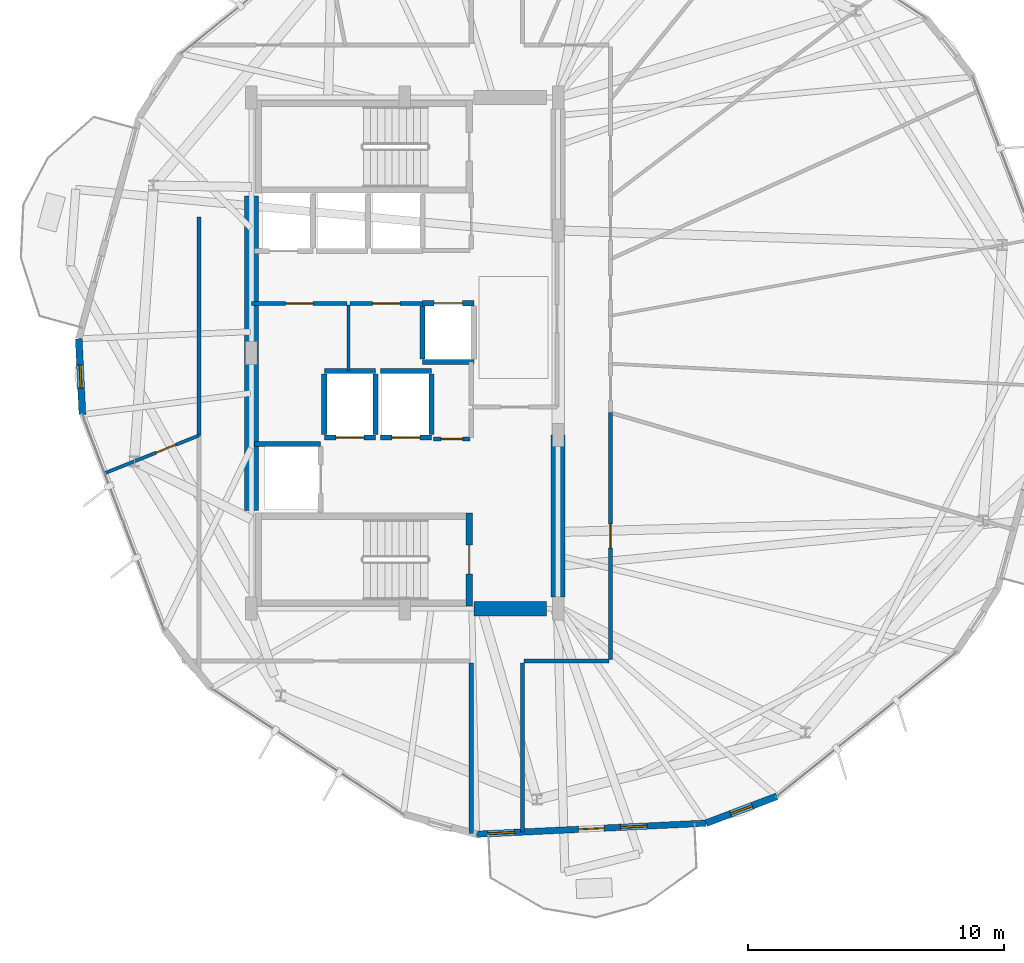
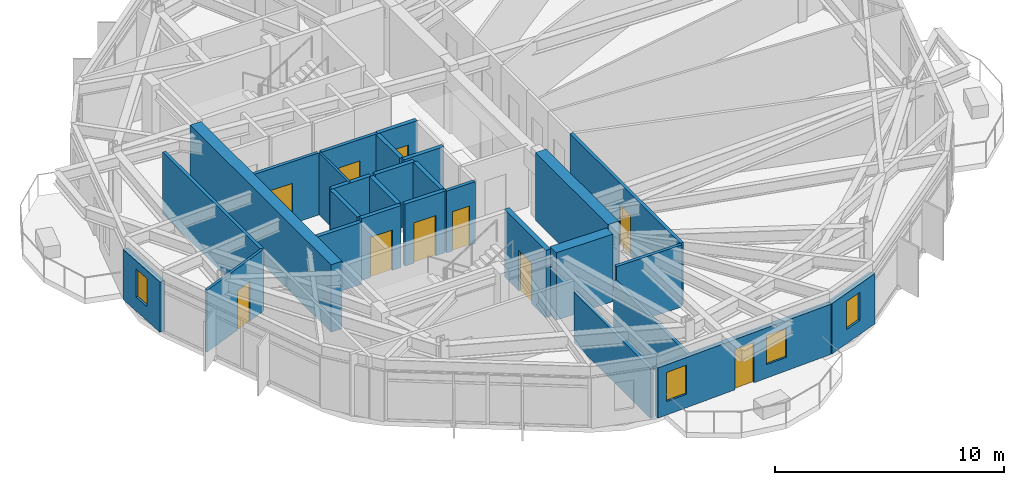
# One storey, part 18 of 23: 28 walls, 10 doors, 4 windows, 14 openings.
"""IFC4 building model written with IfcOpenShell, lengths in metres."""

from ifc_helpers import new_model, si_unit, direction, frame, frame_2d, origin, place, context, subcontext, project, spatial, rectangle, extrude, material, layer, layer_set, type_object, element, fill, save


model = new_model("IFC4")

# Units and contexts
model_context = context("Model", 3, precision=1e-05, world=origin(), true_north=direction((0.0, 1.0)))
body_context = subcontext(model_context, "Body", "Model", "MODEL_VIEW")
ifc_project = project(units=[si_unit("LENGTHUNIT", "METRE"), si_unit("AREAUNIT", "SQUARE_METRE"), si_unit("VOLUMEUNIT", "CUBIC_METRE"), si_unit("PLANEANGLEUNIT", "RADIAN"), si_unit("MASSUNIT", "GRAM", prefix="KILO")], contexts=[model_context])

# Site, building, storey
site_placement = place(None, origin())
site = spatial("IfcSite", under=ifc_project, at=site_placement, CompositionType="ELEMENT")
building_placement = place(site_placement, origin())
building = spatial("IfcBuilding", under=site, at=building_placement, Name="Soratama Intermodal Tower", CompositionType="ELEMENT")
storey_placement = place(building_placement, frame((0.0, 0.0, 175.0)))
storey = spatial("IfcBuildingStorey", under=building, at=storey_placement, Name="L43", CompositionType="ELEMENT", Elevation=175.0)

# Wall, openings, door, windows
ifc_material_1 = material(Name="Concrete f'c 42 MPa", Category="concrete")
ifc_layer_1 = layer(ifc_material_1, 0.25)
ifc_layer_set_1 = layer_set([ifc_layer_1], Name="Concrete f'c 42 MPa")
wall_type_1 = type_object("IfcWallType", Name="EW-BAL-250", PredefinedType="SOLIDWALL", material=ifc_layer_set_1)
wall_1_placement = place(storey_placement, frame((41.4091796875, 6.177490234375, 0.0), z_axis=(0.0, 0.0, 1.0), x_axis=(0.998839062629, 0.048171848272, 0.0)))
wall_1 = element("IfcWall", 1, at=wall_1_placement, inside=storey, type_object=wall_type_1, Name="L43 Terrace Wall F07", PredefinedType="SOLIDWALL", context=body_context, shape_type="SweptSolid", body=[
    extrude(rectangle(XDim=8.98583984375, YDim=0.25, at=frame_2d((4.492919921875, 0.0))), origin(), (0.0, 0.0, 1.0), 2.678955078125),
])
opening_1_placement = place(wall_1_placement, frame((3.992919921875, 0.0, 0.0)))
opening_1 = element("IfcOpeningElement", 2, at=opening_1_placement, cuts=wall_1, Name="Opening ED-2", PredefinedType="OPENING", context=body_context, shape_type="SweptSolid", body=[
    extrude(rectangle(XDim=1.0, YDim=2.14990234375, at=frame_2d((0.5, 1.074951171875))), frame((0.0, 0.135009765625, 0.0), z_axis=(0.0, -1.0, 0.0), x_axis=(1.0, 0.0, 0.0)), (0.0, 0.0, 1.0), 0.27001953125),
])
opening_2_placement = place(wall_1_placement, frame((0.43994140625, 0.0, 0.719970703125)))
opening_2 = element("IfcOpeningElement", 3, at=opening_2_placement, cuts=wall_1, Name="Opening WN-5", PredefinedType="OPENING", context=body_context, shape_type="SweptSolid", body=[
    extrude(rectangle(XDim=1.050048828125, YDim=1.550048828125, at=frame_2d((0.52490234375, 0.77490234375))), frame((0.0, 0.135009765625, 0.0), z_axis=(0.0, -1.0, 0.0), x_axis=(1.0, 0.0, 0.0)), (0.0, 0.0, 1.0), 0.27001953125),
])
opening_3_placement = place(wall_1_placement, frame((5.6328125, 0.0, 0.719970703125)))
opening_3 = element("IfcOpeningElement", 4, at=opening_3_placement, cuts=wall_1, Name="Opening WN-5", PredefinedType="OPENING", context=body_context, shape_type="SweptSolid", body=[
    extrude(rectangle(XDim=1.050048828125, YDim=1.550048828125, at=frame_2d((0.52490234375, 0.77490234375))), frame((0.0, 0.135009765625, 0.0), z_axis=(0.0, -1.0, 0.0), x_axis=(1.0, 0.0, 0.0)), (0.0, 0.0, 1.0), 0.27001953125),
])
ifc_material_2 = material(Name="Double-glazed aluminium door", Category="aluminium")
door_type_1 = type_object("IfcDoorType", Name="DR-BAL-1000", OperationType="NOTDEFINED", PredefinedType="DOOR", material=ifc_material_2)
door_1_placement = place(opening_1_placement, origin())
door_1 = element("IfcDoor", 5, at=door_1_placement, inside=storey, type_object=door_type_1, Name="L43 Balcony Door F07", OperationType="SINGLE_SWING_LEFT", OverallHeight=2.14990234375, OverallWidth=1.0, PredefinedType="DOOR", context=body_context, shape_type="SweptSolid", body=[
    extrude(rectangle(XDim=1.0, YDim=2.14990234375, at=frame_2d((0.5, 1.074951171875))), frame((0.0, 0.02490234375, 0.0), z_axis=(0.0, -1.0, 0.0), x_axis=(1.0, 0.0, 0.0)), (0.0, 0.0, 1.0), 0.050048828125),
])
fill(opening_1, door_1)
ifc_material_3 = material(Name="Double-glazed aluminium window", Category="aluminium")
window_type_1 = type_object("IfcWindowType", Name="WN-FAC-1050", PartitioningType="SINGLE_PANEL", PredefinedType="WINDOW", material=ifc_material_3)
window_1_placement = place(opening_2_placement, origin())
window_1 = element("IfcWindow", 6, at=window_1_placement, inside=storey, type_object=window_type_1, Name="L43 Window A F07", OverallHeight=1.550048828125, OverallWidth=1.050048828125, PartitioningType="SINGLE_PANEL", PredefinedType="WINDOW", context=body_context, shape_type="SweptSolid", body=[
    extrude(rectangle(XDim=1.050048828125, YDim=1.550048828125, at=frame_2d((0.52490234375, 0.77490234375))), frame((0.0, 0.030029296875, 0.0), z_axis=(0.0, -1.0, 0.0), x_axis=(1.0, 0.0, 0.0)), (0.0, 0.0, 1.0), 0.06005859375),
])
fill(opening_2, window_1)
window_2_placement = place(opening_3_placement, origin())
window_2 = element("IfcWindow", 7, at=window_2_placement, inside=storey, type_object=window_type_1, Name="L43 Window B F07", OverallHeight=1.550048828125, OverallWidth=1.050048828125, PartitioningType="SINGLE_PANEL", PredefinedType="WINDOW", context=body_context, shape_type="SweptSolid", body=[
    extrude(rectangle(XDim=1.050048828125, YDim=1.550048828125, at=frame_2d((0.52490234375, 0.77490234375))), frame((0.0, 0.030029296875, 0.0), z_axis=(0.0, -1.0, 0.0), x_axis=(1.0, 0.0, 0.0)), (0.0, 0.0, 1.0), 0.06005859375),
])
fill(opening_3, window_2)

# Wall, opening, window
ifc_material_4 = material(Name="Concrete f'c 42 MPa", Category="concrete")
ifc_layer_2 = layer(ifc_material_4, 0.27001953125)
ifc_layer_set_2 = layer_set([ifc_layer_2], Name="Concrete f'c 42 MPa")
wall_type_2 = type_object("IfcWallType", Name="EW-CRN-270", PredefinedType="SOLIDWALL", material=ifc_layer_set_2)
wall_2_placement = place(storey_placement, frame((25.846435546875, 25.5615234375, 0.0), z_axis=(0.0, 0.0, 1.0), x_axis=(0.048143828125, -0.998840413586, 0.0)))
wall_2 = element("IfcWall", 8, at=wall_2_placement, inside=storey, type_object=wall_type_2, Name="L43 Corner Closure Wall 04", PredefinedType="SOLIDWALL", context=body_context, shape_type="SweptSolid", body=[
    extrude(rectangle(XDim=2.966552734375, YDim=0.27001953125, at=frame_2d((1.4833984375, 0.0))), origin(), (0.0, 0.0, 1.0), 2.678955078125),
])
opening_4_placement = place(wall_2_placement, frame((1.033203125, 0.0, 0.75)))
opening_4 = element("IfcOpeningElement", 9, at=opening_4_placement, cuts=wall_2, Name="Opening WN-6", PredefinedType="OPENING", context=body_context, shape_type="SweptSolid", body=[
    extrude(rectangle(XDim=0.89990234375, YDim=1.5, at=frame_2d((0.449951171875, 0.75))), frame((0.0, 0.14501953125, 0.0), z_axis=(0.0, -1.0, 0.0), x_axis=(1.0, 0.0, 0.0)), (0.0, 0.0, 1.0), 0.2900390625),
])
ifc_material_5 = material(Name="Double-glazed aluminium window", Category="aluminium")
window_type_2 = type_object("IfcWindowType", Name="WN-FAC-900", PartitioningType="SINGLE_PANEL", PredefinedType="WINDOW", material=ifc_material_5)
window_3_placement = place(opening_4_placement, origin())
window_3 = element("IfcWindow", 10, at=window_3_placement, inside=storey, type_object=window_type_2, Name="L43 Corner Window 04", OverallHeight=1.5, OverallWidth=0.89990234375, PartitioningType="SINGLE_PANEL", PredefinedType="WINDOW", context=body_context, shape_type="SweptSolid", body=[
    extrude(rectangle(XDim=0.89990234375, YDim=1.5, at=frame_2d((0.449951171875, 0.75))), frame((0.0, 0.030029296875, 0.0), z_axis=(0.0, -1.0, 0.0), x_axis=(1.0, 0.0, 0.0)), (0.0, 0.0, 1.0), 0.06005859375),
])
fill(opening_4, window_3)

wall_3_placement = place(storey_placement, frame((50.384521484375, 6.6103515625, 0.0), z_axis=(0.0, 0.0, 1.0), x_axis=(0.935082186691, 0.354430958204, 0.0)))
wall_3 = element("IfcWall", 11, at=wall_3_placement, inside=storey, type_object=wall_type_2, Name="L43 Corner Closure Wall 07", PredefinedType="SOLIDWALL", context=body_context, shape_type="SweptSolid", body=[
    extrude(rectangle(XDim=2.966796875, YDim=0.27001953125, at=frame_2d((1.4833984375, 0.0))), origin(), (0.0, 0.0, 1.0), 2.678955078125),
])
opening_5_placement = place(wall_3_placement, frame((1.033203125, 0.0, 0.75)))
opening_5 = element("IfcOpeningElement", 12, at=opening_5_placement, cuts=wall_3, Name="Opening WN-6", PredefinedType="OPENING", context=body_context, shape_type="SweptSolid", body=[
    extrude(rectangle(XDim=0.89990234375, YDim=1.5, at=frame_2d((0.449951171875, 0.75))), frame((0.0, 0.14501953125, 0.0), z_axis=(0.0, -1.0, 0.0), x_axis=(1.0, 0.0, 0.0)), (0.0, 0.0, 1.0), 0.2900390625),
])
window_4_placement = place(opening_5_placement, origin())
window_4 = element("IfcWindow", 13, at=window_4_placement, inside=storey, type_object=window_type_2, Name="L43 Corner Window 07", OverallHeight=1.5, OverallWidth=0.89990234375, PartitioningType="SINGLE_PANEL", PredefinedType="WINDOW", context=body_context, shape_type="SweptSolid", body=[
    extrude(rectangle(XDim=0.89990234375, YDim=1.5, at=frame_2d((0.449951171875, 0.75))), frame((0.0, 0.030029296875, 0.0), z_axis=(0.0, -1.0, 0.0), x_axis=(1.0, 0.0, 0.0)), (0.0, 0.0, 1.0), 0.06005859375),
])
fill(opening_5, window_4)

# Wall, opening, door
ifc_material_6 = material(Name="Fire-rated gypsum stud partition", Category="concrete")
ifc_layer_3 = layer(ifc_material_6, 0.159912109375)
ifc_layer_set_3 = layer_set([ifc_layer_3], Name="Fire-rated gypsum stud partition")
wall_type_3 = type_object("IfcWallType", Name="IW-PART-R160", PredefinedType="PARTITIONING", material=ifc_layer_set_3)
wall_4_placement = place(storey_placement, frame((46.64990234375, 22.6669921875, 0.0), z_axis=(0.0, 0.0, 1.0), x_axis=(0.0, -1.0, 0.0)))
wall_4 = element("IfcWall", 14, at=wall_4_placement, inside=storey, type_object=wall_type_3, Name="L43 Partition W-L43-TP007", PredefinedType="PARTITIONING", context=body_context, shape_type="SweptSolid", body=[
    extrude(rectangle(XDim=9.64697265625, YDim=0.159912109375, at=frame_2d((4.823486328125, 0.0))), origin(), (0.0, 0.0, 1.0), 3.300048828125),
])
opening_6_placement = place(wall_4_placement, frame((4.34912109375, 0.0, 0.0)))
opening_6 = element("IfcOpeningElement", 15, at=opening_6_placement, cuts=wall_4, Name="Opening ID-3", PredefinedType="OPENING", context=body_context, shape_type="SweptSolid", body=[
    extrude(rectangle(XDim=0.949951171875, YDim=2.14990234375, at=frame_2d((0.47509765625, 1.074951171875))), frame((0.0, 0.08984375, 0.0), z_axis=(0.0, -1.0, 0.0), x_axis=(1.0, 0.0, 0.0)), (0.0, 0.0, 1.0), 0.179931640625),
])
ifc_material_7 = material(Name="Solid hardwood acoustic door", Category="wood")
door_type_2 = type_object("IfcDoorType", Name="DR-ROOM-950", OperationType="NOTDEFINED", PredefinedType="DOOR", material=ifc_material_7)
door_2_placement = place(opening_6_placement, origin())
door_2 = element("IfcDoor", 16, at=door_2_placement, inside=storey, type_object=door_type_2, Name="L43 Door D-L43-TP002", OperationType="SINGLE_SWING_LEFT", OverallHeight=2.14990234375, OverallWidth=0.949951171875, PredefinedType="DOOR", context=body_context, shape_type="SweptSolid", body=[
    extrude(rectangle(XDim=0.949951171875, YDim=2.14990234375, at=frame_2d((0.47509765625, 1.074951171875))), frame((0.0, 0.02490234375, 0.0), z_axis=(0.0, -1.0, 0.0), x_axis=(1.0, 0.0, 0.0)), (0.0, 0.0, 1.0), 0.050048828125),
])
fill(opening_6, door_2)

# Walls
wall_5_placement = place(storey_placement, frame((41.199951171875, 6.199951171875, 0.0), z_axis=(0.0, 0.0, 1.0), x_axis=(0.0, 1.0, 0.0)))
element("IfcWall", 17, at=wall_5_placement, inside=storey, type_object=wall_type_3, Name="L43 Partition W-L43-TP012", PredefinedType="PARTITIONING", context=body_context, shape_type="SweptSolid", body=[
    extrude(rectangle(XDim=6.679931640625, YDim=0.159912109375, at=frame_2d((3.33984375, 0.0))), origin(), (0.0, 0.0, 1.0), 2.677978515625),
])
wall_6_placement = place(storey_placement, frame((43.199951171875, 12.8798828125, 0.0), z_axis=(0.0, 0.0, 1.0), x_axis=(0.0, -1.0, 0.0)))
element("IfcWall", 18, at=wall_6_placement, inside=storey, type_object=wall_type_3, Name="L43 Partition W-L43-TP013", PredefinedType="PARTITIONING", context=body_context, shape_type="SweptSolid", body=[
    extrude(rectangle(XDim=6.615966796875, YDim=0.159912109375, at=frame_2d((3.30810546875, 0.0))), origin(), (0.0, 0.0, 1.0), 2.594970703125),
])

# Wall, opening, door
wall_7_placement = place(storey_placement, frame((36.340087890625, 26.93994140625, 0.0), z_axis=(0.0, 0.0, 1.0), x_axis=(-1.0, 0.0, 0.0)))
wall_7 = element("IfcWall", 19, at=wall_7_placement, inside=storey, type_object=wall_type_3, Name="L43 Partition W-L43-TP021", PredefinedType="PARTITIONING", context=body_context, shape_type="SweptSolid", body=[
    extrude(rectangle(XDim=3.739990234375, YDim=0.159912109375, at=frame_2d((1.8701171875, 0.0))), origin(), (0.0, 0.0, 1.0), 3.300048828125),
])
opening_7_placement = place(wall_7_placement, frame((1.330078125, 0.0, 0.0)))
opening_7 = element("IfcOpeningElement", 20, at=opening_7_placement, cuts=wall_7, Name="Opening ID-1", PredefinedType="OPENING", context=body_context, shape_type="SweptSolid", body=[
    extrude(rectangle(XDim=1.080078125, YDim=2.14990234375, at=frame_2d((0.5400390625, 1.074951171875))), frame((0.0, 0.08984375, 0.0), z_axis=(0.0, -1.0, 0.0), x_axis=(1.0, 0.0, 0.0)), (0.0, 0.0, 1.0), 0.179931640625),
])
ifc_material_8 = material(Name="Solid hardwood acoustic door", Category="wood")
door_type_3 = type_object("IfcDoorType", Name="DR-LOB-FD60", OperationType="NOTDEFINED", PredefinedType="DOOR", material=ifc_material_8)
door_3_placement = place(opening_7_placement, origin())
door_3 = element("IfcDoor", 21, at=door_3_placement, inside=storey, type_object=door_type_3, Name="L43 Door D-L43-TP008", OperationType="SINGLE_SWING_LEFT", OverallHeight=2.14990234375, OverallWidth=1.080078125, PredefinedType="DOOR", context=body_context, shape_type="SweptSolid", body=[
    extrude(rectangle(XDim=1.080078125, YDim=2.14990234375, at=frame_2d((0.5400390625, 1.074951171875))), frame((0.0, 0.02490234375, 0.0), z_axis=(0.0, -1.0, 0.0), x_axis=(1.0, 0.0, 0.0)), (0.0, 0.0, 1.0), 0.050048828125),
])
fill(opening_7, door_3)

# Wall
wall_8_placement = place(storey_placement, frame((46.580078125, 12.949951171875, 0.0), z_axis=(0.0, 0.0, 1.0), x_axis=(-1.0, 0.0, 0.0)))
element("IfcWall", 22, at=wall_8_placement, inside=storey, type_object=wall_type_3, Name="L43 Partition W-L43-TP023", PredefinedType="PARTITIONING", context=body_context, shape_type="SweptSolid", body=[
    extrude(rectangle(XDim=3.31005859375, YDim=0.159912109375, at=frame_2d((1.655029296875, 0.0))), origin(), (0.0, 0.0, 1.0), 3.300048828125),
])

# Wall, opening, door
wall_9_placement = place(storey_placement, frame((39.300048828125, 26.93994140625, 0.0), z_axis=(0.0, 0.0, 1.0), x_axis=(-1.0, 0.0, 0.0)))
wall_9 = element("IfcWall", 23, at=wall_9_placement, inside=storey, type_object=wall_type_3, Name="L43 Partition W-L43-TP024", PredefinedType="PARTITIONING", context=body_context, shape_type="SweptSolid", body=[
    extrude(rectangle(XDim=2.840087890625, YDim=0.159912109375, at=frame_2d((1.419921875, 0.0))), origin(), (0.0, 0.0, 1.0), 3.300048828125),
])
opening_8_placement = place(wall_9_placement, frame((0.8798828125, 0.0, 0.0)))
opening_8 = element("IfcOpeningElement", 24, at=opening_8_placement, cuts=wall_9, Name="Opening ID-1", PredefinedType="OPENING", context=body_context, shape_type="SweptSolid", body=[
    extrude(rectangle(XDim=1.080078125, YDim=2.14990234375, at=frame_2d((0.5400390625, 1.074951171875))), frame((0.0, 0.08984375, 0.0), z_axis=(0.0, -1.0, 0.0), x_axis=(1.0, 0.0, 0.0)), (0.0, 0.0, 1.0), 0.179931640625),
])
door_4_placement = place(opening_8_placement, origin())
door_4 = element("IfcDoor", 25, at=door_4_placement, inside=storey, type_object=door_type_3, Name="L43 Door D-L43-TP010", OperationType="SINGLE_SWING_LEFT", OverallHeight=2.14990234375, OverallWidth=1.080078125, PredefinedType="DOOR", context=body_context, shape_type="SweptSolid", body=[
    extrude(rectangle(XDim=1.080078125, YDim=2.14990234375, at=frame_2d((0.5400390625, 1.074951171875))), frame((0.0, 0.02490234375, 0.0), z_axis=(0.0, -1.0, 0.0), x_axis=(1.0, 0.0, 0.0)), (0.0, 0.0, 1.0), 0.050048828125),
])
fill(opening_8, door_4)

# Wall
wall_10_placement = place(storey_placement, frame((30.550048828125, 21.778076171875, 0.0), z_axis=(0.0, 0.0, 1.0), x_axis=(0.0, 1.0, 0.0)))
element("IfcWall", 26, at=wall_10_placement, inside=storey, type_object=wall_type_3, Name="L43 Partition W-L43-TP038", PredefinedType="PARTITIONING", context=body_context, shape_type="SweptSolid", body=[
    extrude(rectangle(XDim=8.554931640625, YDim=0.159912109375, at=frame_2d((4.27734375, 0.0))), origin(), (0.0, 0.0, 1.0), 3.300048828125),
])

# Wall, opening, door
ifc_material_9 = material(Name="Fire-rated gypsum stud partition", Category="concrete")
ifc_layer_4 = layer(ifc_material_9, 0.169921875)
ifc_layer_set_4 = layer_set([ifc_layer_4], Name="Fire-rated gypsum stud partition")
wall_type_4 = type_object("IfcWallType", Name="IW-PART-R170", PredefinedType="PARTITIONING", material=ifc_layer_set_4)
wall_11_placement = place(storey_placement, frame((39.719970703125, 21.639892578125, 0.0), z_axis=(0.0, 0.0, 1.0), x_axis=(1.0, 0.0, 0.0)))
wall_11 = element("IfcWall", 27, at=wall_11_placement, inside=storey, type_object=wall_type_4, Name="L43 Partition W-L43-TP035", PredefinedType="PARTITIONING", context=body_context, shape_type="SweptSolid", body=[
    extrude(rectangle(XDim=1.43994140625, YDim=0.169921875, at=frame_2d((0.719970703125, 0.0))), origin(), (0.0, 0.0, 1.0), 3.300048828125),
])
opening_9_placement = place(wall_11_placement, frame((0.294921875, 0.0, 0.0)))
opening_9 = element("IfcOpeningElement", 28, at=opening_9_placement, cuts=wall_11, Name="Opening ID-4", PredefinedType="OPENING", context=body_context, shape_type="SweptSolid", body=[
    extrude(rectangle(XDim=0.85009765625, YDim=2.10009765625, at=frame_2d((0.425048828125, 1.050048828125))), frame((0.0, 0.094970703125, 0.0), z_axis=(0.0, -1.0, 0.0), x_axis=(1.0, 0.0, 0.0)), (0.0, 0.0, 1.0), 0.18994140625),
])
ifc_material_10 = material(Name="Solid hardwood acoustic door", Category="wood")
door_type_4 = type_object("IfcDoorType", Name="DR-BATH-850", OperationType="NOTDEFINED", PredefinedType="DOOR", material=ifc_material_10)
door_5_placement = place(opening_9_placement, origin())
door_5 = element("IfcDoor", 29, at=door_5_placement, inside=storey, type_object=door_type_4, Name="L43 Door D-L43-TP017", OperationType="SINGLE_SWING_RIGHT", OverallHeight=2.10009765625, OverallWidth=0.85009765625, PredefinedType="DOOR", context=body_context, shape_type="SweptSolid", body=[
    extrude(rectangle(XDim=0.85009765625, YDim=2.10009765625, at=frame_2d((0.425048828125, 1.050048828125))), frame((0.0, 0.02490234375, 0.0), z_axis=(0.0, -1.0, 0.0), x_axis=(1.0, 0.0, 0.0)), (0.0, 0.0, 1.0), 0.050048828125),
])
fill(opening_9, door_5)

# Wall
ifc_material_11 = material(Name="Fire-rated gypsum stud partition", Category="concrete")
ifc_layer_5 = layer(ifc_material_11, 0.110107421875)
ifc_layer_set_5 = layer_set([ifc_layer_5], Name="Fire-rated gypsum stud partition")
wall_type_5 = type_object("IfcWallType", Name="IW-PART-S110", PredefinedType="PARTITIONING", material=ifc_layer_set_5)
wall_12_placement = place(storey_placement, frame((36.39990234375, 26.8798828125, 0.0), z_axis=(0.0, 0.0, 1.0), x_axis=(0.0, -1.0, 0.0)))
element("IfcWall", 30, at=wall_12_placement, inside=storey, type_object=wall_type_5, Name="L43 Partition W-L43-TP026", PredefinedType="PARTITIONING", context=body_context, shape_type="SweptSolid", body=[
    extrude(rectangle(XDim=2.579833984375, YDim=0.110107421875, at=frame_2d((1.2900390625, 0.0))), origin(), (0.0, 0.0, 1.0), 3.300048828125),
])

# Wall, opening, door
ifc_material_12 = material(Name="Fire-rated gypsum stud partition", Category="concrete")
ifc_layer_6 = layer(ifc_material_12, 0.1298828125)
ifc_layer_set_6 = layer_set([ifc_layer_6], Name="Fire-rated gypsum stud partition")
wall_type_6 = type_object("IfcWallType", Name="IW-PART-S130", PredefinedType="PARTITIONING", material=ifc_layer_set_6)
wall_13_placement = place(storey_placement, frame((30.550048828125, 21.778076171875, 0.0), z_axis=(0.0, 0.0, 1.0), x_axis=(-0.928468217401, -0.371411859363, 0.0)))
wall_13 = element("IfcWall", 31, at=wall_13_placement, inside=storey, type_object=wall_type_6, Name="L43 Partition W-L43-TP019", PredefinedType="PARTITIONING", context=body_context, shape_type="SweptSolid", body=[
    extrude(rectangle(XDim=3.97412109375, YDim=0.1298828125, at=frame_2d((1.987060546875, 0.0))), origin(), (0.0, 0.0, 1.0), 3.300048828125),
])
opening_10_placement = place(wall_13_placement, frame((0.966064453125, 0.0, 0.0)))
opening_10 = element("IfcOpeningElement", 32, at=opening_10_placement, cuts=wall_13, Name="Opening ID-4", PredefinedType="OPENING", context=body_context, shape_type="SweptSolid", body=[
    extrude(rectangle(XDim=0.85009765625, YDim=2.10009765625, at=frame_2d((0.425048828125, 1.050048828125))), frame((0.0, 0.074951171875, 0.0), z_axis=(0.0, -1.0, 0.0), x_axis=(1.0, 0.0, 0.0)), (0.0, 0.0, 1.0), 0.14990234375),
])
door_6_placement = place(opening_10_placement, origin())
door_6 = element("IfcDoor", 33, at=door_6_placement, inside=storey, type_object=door_type_4, Name="L43 Door D-L43-TP018", OperationType="SINGLE_SWING_LEFT", OverallHeight=2.10009765625, OverallWidth=0.85009765625, PredefinedType="DOOR", context=body_context, shape_type="SweptSolid", body=[
    extrude(rectangle(XDim=0.85009765625, YDim=2.10009765625, at=frame_2d((0.425048828125, 1.050048828125))), frame((0.0, 0.02490234375, 0.0), z_axis=(0.0, -1.0, 0.0), x_axis=(1.0, 0.0, 0.0)), (0.0, 0.0, 1.0), 0.050048828125),
])
fill(opening_10, door_6)

ifc_material_13 = material(Name="Concrete f'c 42 MPa", Category="concrete")
ifc_layer_7 = layer(ifc_material_13, 0.199951171875)
ifc_layer_set_7 = layer_set([ifc_layer_7], Name="Concrete f'c 42 MPa")
wall_type_7 = type_object("IfcWallType", Name="IW-SHAFT-200", PredefinedType="SOLIDWALL", material=ifc_layer_set_7)
wall_14_placement = place(storey_placement, frame((35.449951171875, 21.699951171875, 0.0), z_axis=(0.0, 0.0, 1.0), x_axis=(1.0, 0.0, 0.0)))
wall_14 = element("IfcWall", 34, at=wall_14_placement, inside=storey, type_object=wall_type_7, Name="L43 FFL-1 Hoistway Wall S", PredefinedType="SOLIDWALL", context=body_context, shape_type="SweptSolid", body=[
    extrude(rectangle(XDim=2.0, YDim=0.199951171875, at=frame_2d((1.0, 0.0))), origin(), (0.0, 0.0, 1.0), 3.300048828125),
])
opening_11_placement = place(wall_14_placement, frame((0.449951171875, 0.0, 0.0)))
opening_11 = element("IfcOpeningElement", 35, at=opening_11_placement, cuts=wall_14, Name="Opening LD-1", PredefinedType="OPENING", context=body_context, shape_type="SweptSolid", body=[
    extrude(rectangle(XDim=1.10009765625, YDim=2.14990234375, at=frame_2d((0.550048828125, 1.074951171875))), frame((0.0, 0.10986328125, 0.0), z_axis=(0.0, -1.0, 0.0), x_axis=(1.0, 0.0, 0.0)), (0.0, 0.0, 1.0), 0.219970703125),
])
ifc_material_14 = material(Name="Steel fire door", Category="steel")
door_type_5 = type_object("IfcDoorType", Name="DR-LIFT-SLIDE", OperationType="NOTDEFINED", PredefinedType="DOOR", material=ifc_material_14)
door_7_placement = place(opening_11_placement, origin())
door_7 = element("IfcDoor", 36, at=door_7_placement, inside=storey, type_object=door_type_5, Name="L43 FFL-1 Sliding Landing Door", OperationType="SLIDING_TO_LEFT", OverallHeight=2.14990234375, OverallWidth=1.10009765625, PredefinedType="DOOR", context=body_context, shape_type="SweptSolid", body=[
    extrude(rectangle(XDim=1.10009765625, YDim=2.14990234375, at=frame_2d((0.550048828125, 1.074951171875))), frame((0.0, 0.02490234375, 0.0), z_axis=(0.0, -1.0, 0.0), x_axis=(1.0, 0.0, 0.0)), (0.0, 0.0, 1.0), 0.050048828125),
])
fill(opening_11, door_7)

# Walls
wall_15_placement = place(storey_placement, frame((35.449951171875, 24.300048828125, 0.0), z_axis=(0.0, 0.0, 1.0), x_axis=(1.0, 0.0, 0.0)))
element("IfcWall", 37, at=wall_15_placement, inside=storey, type_object=wall_type_7, Name="L43 FFL-1 Hoistway Wall N", PredefinedType="SOLIDWALL", context=body_context, shape_type="SweptSolid", body=[
    extrude(rectangle(XDim=2.0, YDim=0.199951171875, at=frame_2d((1.0, 0.0))), origin(), (0.0, 0.0, 1.0), 3.300048828125),
])
for number, where, z_axis, x_axis, name in (
    (38, (35.449951171875, 21.81005859375, 0.0), (0.0, 0.0, 1.0), (0.0, 1.0, 0.0), "L43 FFL-1 Hoistway Wall W"),
    (39, (37.449951171875, 21.81005859375, 0.0), (0.0, 0.0, 1.0), (0.0, 1.0, 0.0), "L43 FFL-1 Hoistway Wall E"),
):
    element("IfcWall", number, at=place(storey_placement, frame(where, z_axis=z_axis, x_axis=x_axis)), inside=storey, type_object=wall_type_7, Name=name, PredefinedType="SOLIDWALL", context=body_context, shape_type="SweptSolid", body=[
        extrude(rectangle(XDim=2.3798828125, YDim=0.199951171875, at=frame_2d((1.18994140625, 0.0))), origin(), (0.0, 0.0, 1.0), 3.300048828125),
    ])

# Wall, opening, door
wall_16_placement = place(storey_placement, frame((37.64990234375, 21.699951171875, 0.0), z_axis=(0.0, 0.0, 1.0), x_axis=(1.0, 0.0, 0.0)))
wall_16 = element("IfcWall", 40, at=wall_16_placement, inside=storey, type_object=wall_type_7, Name="L43 FFL-2 Hoistway Wall S", PredefinedType="SOLIDWALL", context=body_context, shape_type="SweptSolid", body=[
    extrude(rectangle(XDim=2.0, YDim=0.199951171875, at=frame_2d((1.0, 0.0))), origin(), (0.0, 0.0, 1.0), 3.300048828125),
])
opening_12_placement = place(wall_16_placement, frame((0.449951171875, 0.0, 0.0)))
opening_12 = element("IfcOpeningElement", 41, at=opening_12_placement, cuts=wall_16, Name="Opening LD-1", PredefinedType="OPENING", context=body_context, shape_type="SweptSolid", body=[
    extrude(rectangle(XDim=1.10009765625, YDim=2.14990234375, at=frame_2d((0.550048828125, 1.074951171875))), frame((0.0, 0.10986328125, 0.0), z_axis=(0.0, -1.0, 0.0), x_axis=(1.0, 0.0, 0.0)), (0.0, 0.0, 1.0), 0.219970703125),
])
door_8_placement = place(opening_12_placement, origin())
door_8 = element("IfcDoor", 42, at=door_8_placement, inside=storey, type_object=door_type_5, Name="L43 FFL-2 Sliding Landing Door", OperationType="SLIDING_TO_LEFT", OverallHeight=2.14990234375, OverallWidth=1.10009765625, PredefinedType="DOOR", context=body_context, shape_type="SweptSolid", body=[
    extrude(rectangle(XDim=1.10009765625, YDim=2.14990234375, at=frame_2d((0.550048828125, 1.074951171875))), frame((0.0, 0.02490234375, 0.0), z_axis=(0.0, -1.0, 0.0), x_axis=(1.0, 0.0, 0.0)), (0.0, 0.0, 1.0), 0.050048828125),
])
fill(opening_12, door_8)

# Walls
wall_17_placement = place(storey_placement, frame((37.64990234375, 24.300048828125, 0.0), z_axis=(0.0, 0.0, 1.0), x_axis=(1.0, 0.0, 0.0)))
element("IfcWall", 43, at=wall_17_placement, inside=storey, type_object=wall_type_7, Name="L43 FFL-2 Hoistway Wall N", PredefinedType="SOLIDWALL", context=body_context, shape_type="SweptSolid", body=[
    extrude(rectangle(XDim=2.0, YDim=0.199951171875, at=frame_2d((1.0, 0.0))), origin(), (0.0, 0.0, 1.0), 3.300048828125),
])
wall_18_placement = place(storey_placement, frame((39.64990234375, 21.81005859375, 0.0), z_axis=(0.0, 0.0, 1.0), x_axis=(0.0, 1.0, 0.0)))
element("IfcWall", 44, at=wall_18_placement, inside=storey, type_object=wall_type_7, Name="L43 FFL-2 Hoistway Wall E", PredefinedType="SOLIDWALL", context=body_context, shape_type="SweptSolid", body=[
    extrude(rectangle(XDim=2.3798828125, YDim=0.199951171875, at=frame_2d((1.18994140625, 0.0))), origin(), (0.0, 0.0, 1.0), 3.300048828125),
])
wall_19_placement = place(storey_placement, frame((32.719970703125, 21.449951171875, 0.0), z_axis=(0.0, 0.0, 1.0), x_axis=(1.0, 0.0, 0.0)))
element("IfcWall", 45, at=wall_19_placement, inside=storey, type_object=wall_type_7, Name="L43 SVL-1 Hoistway Wall N", PredefinedType="SOLIDWALL", context=body_context, shape_type="SweptSolid", body=[
    extrude(rectangle(XDim=2.580078125, YDim=0.199951171875, at=frame_2d((1.2900390625, 0.0))), origin(), (0.0, 0.0, 1.0), 3.300048828125),
])
wall_20_placement = place(storey_placement, frame((39.300048828125, 24.64990234375, 0.0), z_axis=(0.0, 0.0, 1.0), x_axis=(1.0, 0.0, 0.0)))
element("IfcWall", 46, at=wall_20_placement, inside=storey, type_object=wall_type_7, Name="L43 PL-M1 Hoistway Wall S", PredefinedType="SOLIDWALL", context=body_context, shape_type="SweptSolid", body=[
    extrude(rectangle(XDim=2.0, YDim=0.199951171875, at=frame_2d((1.0, 0.0))), origin(), (0.0, 0.0, 1.0), 3.300048828125),
])

# Wall, opening, door
wall_21_placement = place(storey_placement, frame((39.300048828125, 26.949951171875, 0.0), z_axis=(0.0, 0.0, 1.0), x_axis=(1.0, 0.0, 0.0)))
wall_21 = element("IfcWall", 47, at=wall_21_placement, inside=storey, type_object=wall_type_7, Name="L43 PL-M1 Hoistway Wall N", PredefinedType="SOLIDWALL", context=body_context, shape_type="SweptSolid", body=[
    extrude(rectangle(XDim=2.0, YDim=0.199951171875, at=frame_2d((1.0, 0.0))), origin(), (0.0, 0.0, 1.0), 3.300048828125),
])
opening_13_placement = place(wall_21_placement, frame((0.449951171875, 0.0, 0.0)))
opening_13 = element("IfcOpeningElement", 48, at=opening_13_placement, cuts=wall_21, Name="Opening LD-1", PredefinedType="OPENING", context=body_context, shape_type="SweptSolid", body=[
    extrude(rectangle(XDim=1.10009765625, YDim=2.14990234375, at=frame_2d((0.550048828125, 1.074951171875))), frame((0.0, 0.10986328125, 0.0), z_axis=(0.0, -1.0, 0.0), x_axis=(1.0, 0.0, 0.0)), (0.0, 0.0, 1.0), 0.219970703125),
])
door_9_placement = place(opening_13_placement, origin())
door_9 = element("IfcDoor", 49, at=door_9_placement, inside=storey, type_object=door_type_5, Name="L43 PL-M1 Sliding Landing Door", OperationType="SLIDING_TO_LEFT", OverallHeight=2.14990234375, OverallWidth=1.10009765625, PredefinedType="DOOR", context=body_context, shape_type="SweptSolid", body=[
    extrude(rectangle(XDim=1.10009765625, YDim=2.14990234375, at=frame_2d((0.550048828125, 1.074951171875))), frame((0.0, 0.02490234375, 0.0), z_axis=(0.0, -1.0, 0.0), x_axis=(1.0, 0.0, 0.0)), (0.0, 0.0, 1.0), 0.050048828125),
])
fill(opening_13, door_9)

# Walls
wall_22_placement = place(storey_placement, frame((39.300048828125, 24.760009765625, 0.0), z_axis=(0.0, 0.0, 1.0), x_axis=(0.0, 1.0, 0.0)))
element("IfcWall", 50, at=wall_22_placement, inside=storey, type_object=wall_type_7, Name="L43 PL-M1 Hoistway Wall W", PredefinedType="SOLIDWALL", context=body_context, shape_type="SweptSolid", body=[
    extrude(rectangle(XDim=2.080078125, YDim=0.199951171875, at=frame_2d((1.0400390625, 0.0))), origin(), (0.0, 0.0, 1.0), 3.300048828125),
])
ifc_material_15 = material(Name="Concrete f'c 56 MPa", Category="concrete")
ifc_layer_8 = layer(ifc_material_15, 0.550048828125)
ifc_layer_set_8 = layer_set([ifc_layer_8], Name="Concrete f'c 56 MPa")
wall_type_8 = type_object("IfcWallType", Name="SW-CORE-550", PredefinedType="SHEAR", material=ifc_layer_set_8)
wall_23_placement = place(storey_placement, frame((32.60009765625, 18.85009765625, 0.0), z_axis=(0.0, 0.0, 1.0), x_axis=(0.0, 1.0, 0.0)))
element("IfcWall", 51, at=wall_23_placement, inside=storey, type_object=wall_type_8, Name="L43 Core Shear Wall CW-WMID", PredefinedType="SHEAR", context=body_context, shape_type="SweptSolid", body=[
    extrude(rectangle(XDim=12.2998046875, YDim=0.550048828125, at=frame_2d((6.14990234375, 0.0))), origin(), (0.0, 0.0, 1.0), 3.60009765625),
])
wall_24_placement = place(storey_placement, frame((41.300048828125, 15.0, 0.0), z_axis=(0.0, 0.0, 1.0), x_axis=(1.0, 0.0, 0.0)))
element("IfcWall", 52, at=wall_24_placement, inside=storey, type_object=wall_type_8, Name="L43 Core Shear Wall CW-SE", PredefinedType="SHEAR", context=body_context, shape_type="SweptSolid", body=[
    extrude(rectangle(XDim=2.849853515625, YDim=0.550048828125, at=frame_2d((1.4248046875, 0.0))), origin(), (0.0, 0.0, 1.0), 3.60009765625),
])
wall_25_placement = place(storey_placement, frame((44.60009765625, 15.449951171875, 0.0), z_axis=(0.0, 0.0, 1.0), x_axis=(0.0, 1.0, 0.0)))
element("IfcWall", 53, at=wall_25_placement, inside=storey, type_object=wall_type_8, Name="L43 Core Shear Wall CW-ES", PredefinedType="SHEAR", context=body_context, shape_type="SweptSolid", body=[
    extrude(rectangle(XDim=6.35009765625, YDim=0.550048828125, at=frame_2d((3.175048828125, 0.0))), origin(), (0.0, 0.0, 1.0), 3.60009765625),
])

# Wall, opening, door
ifc_material_16 = material(Name="Concrete f'c 56 MPa", Category="concrete")
ifc_layer_9 = layer(ifc_material_16, 0.239990234375)
ifc_layer_set_9 = layer_set([ifc_layer_9], Name="Concrete f'c 56 MPa")
wall_type_9 = type_object("IfcWallType", Name="SW-STAIR-240", PredefinedType="SHEAR", material=ifc_layer_set_9)
wall_26_placement = place(storey_placement, frame((41.1201171875, 15.110107421875, 0.0), z_axis=(0.0, 0.0, 1.0), x_axis=(0.0, 1.0, 0.0)))
wall_26 = element("IfcWall", 54, at=wall_26_placement, inside=storey, type_object=wall_type_9, Name="L43 ST-1 Shaft Shear Wall E", PredefinedType="SHEAR", context=body_context, shape_type="SweptSolid", body=[
    extrude(rectangle(XDim=3.6298828125, YDim=0.239990234375, at=frame_2d((1.81494140625, 0.0))), origin(), (0.0, 0.0, 1.0), 3.60009765625),
])
opening_14_placement = place(wall_26_placement, frame((1.2548828125, 0.0, 0.0)))
opening_14 = element("IfcOpeningElement", 55, at=opening_14_placement, cuts=wall_26, Name="Opening SD-1", PredefinedType="OPENING", context=body_context, shape_type="SweptSolid", body=[
    extrude(rectangle(XDim=1.1201171875, YDim=2.14990234375, at=frame_2d((0.56005859375, 1.074951171875))), frame((0.0, 0.1298828125, 0.0), z_axis=(0.0, -1.0, 0.0), x_axis=(1.0, 0.0, 0.0)), (0.0, 0.0, 1.0), 0.260009765625),
])
ifc_material_17 = material(Name="Steel fire door", Category="steel")
door_type_6 = type_object("IfcDoorType", Name="DR-STAIR-FD90", OperationType="NOTDEFINED", PredefinedType="DOOR", material=ifc_material_17)
door_10_placement = place(opening_14_placement, origin())
door_10 = element("IfcDoor", 56, at=door_10_placement, inside=storey, type_object=door_type_6, Name="L43 ST-1 Exit Stair Door", OperationType="SINGLE_SWING_LEFT", OverallHeight=2.14990234375, OverallWidth=1.1201171875, PredefinedType="DOOR", context=body_context, shape_type="SweptSolid", body=[
    extrude(rectangle(XDim=1.1201171875, YDim=2.14990234375, at=frame_2d((0.56005859375, 1.074951171875))), frame((0.0, 0.02490234375, 0.0), z_axis=(0.0, -1.0, 0.0), x_axis=(1.0, 0.0, 0.0)), (0.0, 0.0, 1.0), 0.050048828125),
])
fill(opening_14, door_10)

save(model, "model.ifc")
